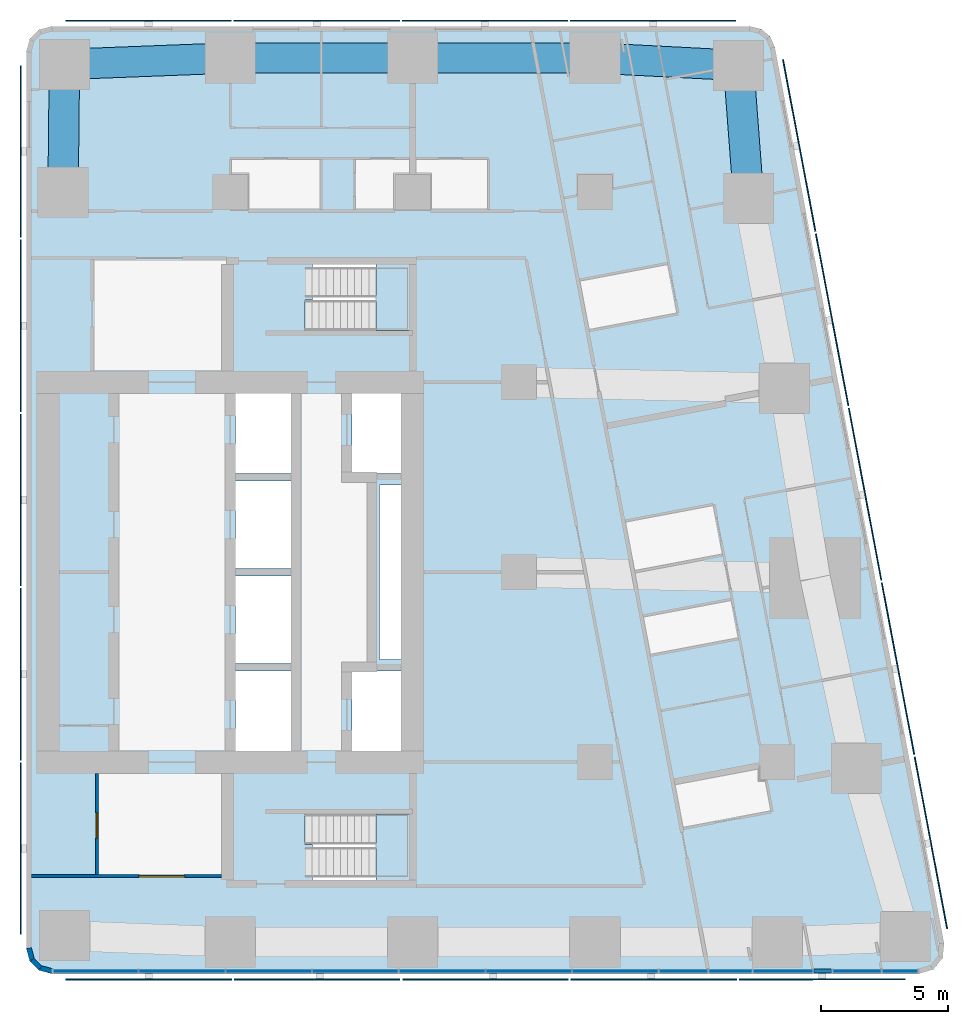
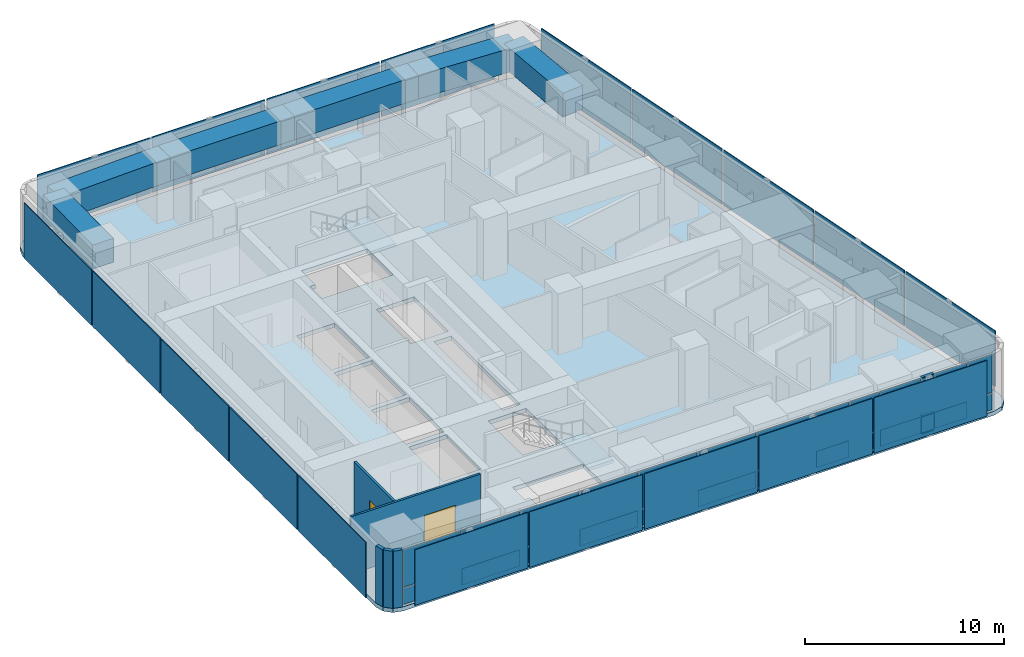
# One storey, part 4 of 11: 45 plates, 6 beams, 5 walls, 3 members, 3 slabs, 2 doors, 2 openings, 3 elements without a shape of their own.
"""IFC4 building model written with IfcOpenShell, lengths in metres."""

from ifc_helpers import new_model, si_unit, direction, frame, frame_2d, origin, origin_2d, place, context, subcontext, project, spatial, polyline, rectangle, outline, extrude, material, layer, layer_set, material_profile, profile_set, type_object, element, fill, aggregate, save


model = new_model("IFC4")

# Units and contexts
model_context = context("Model", 3, precision=1e-05, world=origin(), true_north=direction((0.0, 1.0)))
body_context = subcontext(model_context, "Body", "Model", "MODEL_VIEW")
ifc_project = project(units=[si_unit("LENGTHUNIT", "METRE"), si_unit("AREAUNIT", "SQUARE_METRE"), si_unit("VOLUMEUNIT", "CUBIC_METRE"), si_unit("PLANEANGLEUNIT", "RADIAN"), si_unit("MASSUNIT", "GRAM", prefix="KILO")], contexts=[model_context])

# Site, building, storey
site_placement = place(None, origin())
site = spatial("IfcSite", under=ifc_project, at=site_placement, CompositionType="ELEMENT")
building_placement = place(site_placement, origin())
building = spatial("IfcBuilding", under=site, at=building_placement, Name="Sheger Commons Tower", CompositionType="ELEMENT")
storey_placement = place(building_placement, frame((0.0, 0.0, 274.10009765625)))
storey = spatial("IfcBuildingStorey", under=building, at=storey_placement, Name="L70", CompositionType="ELEMENT", Elevation=274.10009765625)

# Beams
ifc_material_1 = material(Name="Concrete C50/60", Category="concrete")
ifc_material_profile_1 = material_profile(ifc_material_1, rectangle(XDim=1.199951171875, YDim=1.449951171875, at=origin_2d()), Name="RC 1200x1450")
ifc_profile_set_1 = profile_set([ifc_material_profile_1], Name="Concrete C50/60")
beam_type = type_object("IfcBeamType", Name="SPANDREL RC 1200x1450", PredefinedType="SPANDREL", material=ifc_profile_set_1)
beam_1_placement = place(storey_placement, frame((42.06396484375, 37.262939453125, 2.77490234375), z_axis=(-0.075496345854, 0.997146078447, 0.0), x_axis=(-0.997146078447, -0.075496345854, 0.0)))
element("IfcBeam", 1, at=beam_1_placement, inside=storey, type_object=beam_type, Name="Beam E/F-E/G-1.8 under L71", PredefinedType="SPANDREL", context=body_context, shape_type="SweptSolid", body=[
    extrude(rectangle(XDim=1.199951171875, YDim=1.449951171875, at=origin_2d()), origin(), (0.0, 0.0, 1.0), 5.258056640625),
])
beam_2_placement = place(storey_placement, frame((41.6669921875, 42.506103515625, 2.77490234375), z_axis=(-0.998657474351, 0.051800086124, 0.0), x_axis=(-0.051800086124, -0.998657474351, 0.0)))
element("IfcBeam", 2, at=beam_2_placement, inside=storey, type_object=beam_type, Name="Beam E/G-1.8-6/G-1.8 under L71", PredefinedType="SPANDREL", context=body_context, shape_type="SweptSolid", body=[
    extrude(rectangle(XDim=1.199951171875, YDim=1.449951171875, at=origin_2d()), origin(), (0.0, 0.0, 1.0), 5.674560546875),
])
for number, where, z_axis, x_axis, name in (
    (3, (36.0, 42.800048828125, 2.77490234375), (-1.0, 0.0, 0.0), (0.0, -1.0, 0.0), "Beam 6/G-1.8-5/G-1.8 under L71"),
    (4, (28.800048828125, 42.800048828125, 2.77490234375), (-1.0, 0.0, 0.0), (0.0, -1.0, 0.0), "Beam 5/G-1.8-4/G-1.8 under L71"),
):
    element("IfcBeam", number, at=place(storey_placement, frame(where, z_axis=z_axis, x_axis=x_axis)), inside=storey, type_object=beam_type, Name=name, PredefinedType="SPANDREL", context=body_context, shape_type="SweptSolid", body=[
        extrude(rectangle(XDim=1.199951171875, YDim=1.449951171875, at=origin_2d()), origin(), (0.0, 0.0, 1.0), 7.199951171875),
    ])
beam_3_placement = place(storey_placement, frame((21.60009765625, 42.800048828125, 2.77490234375), z_axis=(-0.999247181966, -0.038795223079, 0.0), x_axis=(0.038795223079, -0.999247181966, 0.0)))
element("IfcBeam", 5, at=beam_3_placement, inside=storey, type_object=beam_type, Name="Beam 4/G-1.8-3/G-1.8 under L71", PredefinedType="SPANDREL", context=body_context, shape_type="SweptSolid", body=[
    extrude(rectangle(XDim=1.199951171875, YDim=1.449951171875, at=origin_2d()), origin(), (0.0, 0.0, 1.0), 6.551025390625),
])
beam_4_placement = place(storey_placement, frame((15.053955078125, 42.5458984375, 2.77490234375), z_axis=(-0.010692247282, -0.99994283629, 0.0), x_axis=(0.99994283629, -0.010692247282, 0.0)))
element("IfcBeam", 6, at=beam_4_placement, inside=storey, type_object=beam_type, Name="Beam 3/G-1.8-3/F under L71", PredefinedType="SPANDREL", context=body_context, shape_type="SweptSolid", body=[
    extrude(rectangle(XDim=1.199951171875, YDim=1.449951171875, at=origin_2d()), origin(), (0.0, 0.0, 1.0), 5.046142578125),
])

# Curtain wall, members, plates
ifc_material_2 = material(Name="Black aluminium curtain wall, dark tinted glazing", Category="aluminium")
curtain_wall_type = type_object("IfcCurtainWallType", Name="CURTAIN WALL CW5 SOUTH GALLERY", PredefinedType="USERDEFINED", material=ifc_material_2)
curtain_wall_placement = place(storey_placement, origin())
curtain_wall = element("IfcCurtainWall", 7, at=curtain_wall_placement, inside=storey, type_object=curtain_wall_type, Name="Curtain Wall Cw5 South Gallery S1 L70", ObjectType="UNITISED CURTAIN WALL", PredefinedType="USERDEFINED")
ifc_material_3 = material(Name="Black anodised aluminium", Category="aluminium")
ifc_material_profile_2 = material_profile(ifc_material_3, rectangle(XDim=0.14990234375, YDim=0.06494140625, at=origin_2d()), Name="AL 65x150")
ifc_profile_set_2 = profile_set([ifc_material_profile_2], Name="Black anodised aluminium")
member_type = type_object("IfcMemberType", Name="TRANSOM AL 65x150", PredefinedType="USERDEFINED", material=ifc_profile_set_2)
member_1_placement = place(storey_placement, frame((44.638427734375, 6.75, 0.032470703125), z_axis=(1.0, 0.0, 0.0), x_axis=(0.0, 1.0, 0.0)))
member_1 = element("IfcMember", 8, at=member_1_placement, type_object=member_type, Name="CW5 transom 11.1", ObjectType="TRANSOM", PredefinedType="USERDEFINED", context=body_context, shape_type="SweptSolid", body=[
    extrude(rectangle(XDim=0.14990234375, YDim=0.06494140625, at=origin_2d()), origin(), (0.0, 0.0, 1.0), 0.694091796875),
])
member_2_placement = place(storey_placement, frame((44.638427734375, 6.75, 1.099853515625), z_axis=(1.0, 0.0, 0.0), x_axis=(0.0, 1.0, 0.0)))
member_2 = element("IfcMember", 9, at=member_2_placement, type_object=member_type, Name="CW5 transom 11.2", ObjectType="TRANSOM", PredefinedType="USERDEFINED", context=body_context, shape_type="SweptSolid", body=[
    extrude(rectangle(XDim=0.14990234375, YDim=0.06494140625, at=origin_2d()), origin(), (0.0, 0.0, 1.0), 0.694091796875),
])
member_3_placement = place(storey_placement, frame((44.638427734375, 6.75, 3.46728515625), z_axis=(1.0, 0.0, 0.0), x_axis=(0.0, 1.0, 0.0)))
member_3 = element("IfcMember", 10, at=member_3_placement, type_object=member_type, Name="CW5 transom 11.3", ObjectType="TRANSOM", PredefinedType="USERDEFINED", context=body_context, shape_type="SweptSolid", body=[
    extrude(rectangle(XDim=0.14990234375, YDim=0.06494140625, at=origin_2d()), origin(), (0.0, 0.0, 1.0), 0.694091796875),
])
ifc_material_4 = material(Name="Dark tinted double glazing", Category="glass")
ifc_layer_1 = layer(ifc_material_4, 0.031982421875)
ifc_layer_set_1 = layer_set([ifc_layer_1], Name="GLAZED PANEL 32")
plate_type_1 = type_object("IfcPlateType", Name="GLAZED PANEL 32", PredefinedType="CURTAIN_PANEL", material=ifc_layer_set_1)
plate_1_placement = place(storey_placement, frame((16.290283203125, 6.75, 0.06494140625), z_axis=(0.0, 0.0, 1.0), x_axis=(1.0, 0.0, 0.0)))
plate_1 = element("IfcPlate", 11, at=plate_1_placement, type_object=plate_type_1, Name="CW5 panel 1.1", PredefinedType="CURTAIN_PANEL", context=body_context, shape_type="SweptSolid", body=[
    extrude(rectangle(XDim=3.324462890625, YDim=0.031982421875, at=origin_2d()), origin(), (0.0, 0.0, 1.0), 1.00244140625),
])
plate_2_placement = place(storey_placement, frame((16.290283203125, 6.75, 1.13232421875), z_axis=(0.0, 0.0, 1.0), x_axis=(1.0, 0.0, 0.0)))
plate_2 = element("IfcPlate", 12, at=plate_2_placement, type_object=plate_type_1, Name="CW5 panel 1.2", PredefinedType="CURTAIN_PANEL", context=body_context, shape_type="SweptSolid", body=[
    extrude(rectangle(XDim=3.324462890625, YDim=0.031982421875, at=origin_2d()), origin(), (0.0, 0.0, 1.0), 2.302490234375),
])
plate_3_placement = place(storey_placement, frame((19.696533203125, 6.75, 0.06494140625), z_axis=(0.0, 0.0, 1.0), x_axis=(1.0, 0.0, 0.0)))
plate_3 = element("IfcPlate", 13, at=plate_3_placement, type_object=plate_type_1, Name="CW5 panel 2.1", PredefinedType="CURTAIN_PANEL", context=body_context, shape_type="SweptSolid", body=[
    extrude(rectangle(XDim=3.35791015625, YDim=0.031982421875, at=origin_2d()), origin(), (0.0, 0.0, 1.0), 1.00244140625),
])
plate_4_placement = place(storey_placement, frame((19.696533203125, 6.75, 1.13232421875), z_axis=(0.0, 0.0, 1.0), x_axis=(1.0, 0.0, 0.0)))
plate_4 = element("IfcPlate", 14, at=plate_4_placement, type_object=plate_type_1, Name="CW5 panel 2.2", PredefinedType="CURTAIN_PANEL", context=body_context, shape_type="SweptSolid", body=[
    extrude(rectangle(XDim=3.35791015625, YDim=0.031982421875, at=origin_2d()), origin(), (0.0, 0.0, 1.0), 2.302490234375),
])
plate_5_placement = place(storey_placement, frame((23.118896484375, 6.75, 0.06494140625), z_axis=(0.0, 0.0, 1.0), x_axis=(1.0, 0.0, 0.0)))
plate_5 = element("IfcPlate", 15, at=plate_5_placement, type_object=plate_type_1, Name="CW5 panel 3.1", PredefinedType="CURTAIN_PANEL", context=body_context, shape_type="SweptSolid", body=[
    extrude(rectangle(XDim=3.35693359375, YDim=0.031982421875, at=origin_2d()), origin(), (0.0, 0.0, 1.0), 1.00244140625),
])
plate_6_placement = place(storey_placement, frame((23.118896484375, 6.75, 1.13232421875), z_axis=(0.0, 0.0, 1.0), x_axis=(1.0, 0.0, 0.0)))
plate_6 = element("IfcPlate", 16, at=plate_6_placement, type_object=plate_type_1, Name="CW5 panel 3.2", PredefinedType="CURTAIN_PANEL", context=body_context, shape_type="SweptSolid", body=[
    extrude(rectangle(XDim=3.35693359375, YDim=0.031982421875, at=origin_2d()), origin(), (0.0, 0.0, 1.0), 2.302490234375),
])
plate_7_placement = place(storey_placement, frame((26.54150390625, 6.75, 0.06494140625), z_axis=(0.0, 0.0, 1.0), x_axis=(1.0, 0.0, 0.0)))
plate_7 = element("IfcPlate", 17, at=plate_7_placement, type_object=plate_type_1, Name="CW5 panel 4.1", PredefinedType="CURTAIN_PANEL", context=body_context, shape_type="SweptSolid", body=[
    extrude(rectangle(XDim=3.35791015625, YDim=0.031982421875, at=origin_2d()), origin(), (0.0, 0.0, 1.0), 1.00244140625),
])
plate_8_placement = place(storey_placement, frame((26.54150390625, 6.75, 1.13232421875), z_axis=(0.0, 0.0, 1.0), x_axis=(1.0, 0.0, 0.0)))
plate_8 = element("IfcPlate", 18, at=plate_8_placement, type_object=plate_type_1, Name="CW5 panel 4.2", PredefinedType="CURTAIN_PANEL", context=body_context, shape_type="SweptSolid", body=[
    extrude(rectangle(XDim=3.35791015625, YDim=0.031982421875, at=origin_2d()), origin(), (0.0, 0.0, 1.0), 2.302490234375),
])
plate_9_placement = place(storey_placement, frame((29.964111328125, 6.75, 0.06494140625), z_axis=(0.0, 0.0, 1.0), x_axis=(1.0, 0.0, 0.0)))
plate_9 = element("IfcPlate", 19, at=plate_9_placement, type_object=plate_type_1, Name="CW5 panel 5.1", PredefinedType="CURTAIN_PANEL", context=body_context, shape_type="SweptSolid", body=[
    extrude(rectangle(XDim=3.35693359375, YDim=0.031982421875, at=origin_2d()), origin(), (0.0, 0.0, 1.0), 1.00244140625),
])
plate_10_placement = place(storey_placement, frame((29.964111328125, 6.75, 1.13232421875), z_axis=(0.0, 0.0, 1.0), x_axis=(1.0, 0.0, 0.0)))
plate_10 = element("IfcPlate", 20, at=plate_10_placement, type_object=plate_type_1, Name="CW5 panel 5.2", PredefinedType="CURTAIN_PANEL", context=body_context, shape_type="SweptSolid", body=[
    extrude(rectangle(XDim=3.35693359375, YDim=0.031982421875, at=origin_2d()), origin(), (0.0, 0.0, 1.0), 2.302490234375),
])
plate_11_placement = place(storey_placement, frame((33.385986328125, 6.75, 0.06494140625), z_axis=(0.0, 0.0, 1.0), x_axis=(1.0, 0.0, 0.0)))
plate_11 = element("IfcPlate", 21, at=plate_11_placement, type_object=plate_type_1, Name="CW5 panel 6.1", PredefinedType="CURTAIN_PANEL", context=body_context, shape_type="SweptSolid", body=[
    extrude(rectangle(XDim=3.35693359375, YDim=0.031982421875, at=origin_2d()), origin(), (0.0, 0.0, 1.0), 1.00244140625),
])
plate_12_placement = place(storey_placement, frame((33.385986328125, 6.75, 1.13232421875), z_axis=(0.0, 0.0, 1.0), x_axis=(1.0, 0.0, 0.0)))
plate_12 = element("IfcPlate", 22, at=plate_12_placement, type_object=plate_type_1, Name="CW5 panel 6.2", PredefinedType="CURTAIN_PANEL", context=body_context, shape_type="SweptSolid", body=[
    extrude(rectangle(XDim=3.35693359375, YDim=0.031982421875, at=origin_2d()), origin(), (0.0, 0.0, 1.0), 2.302490234375),
])
plate_13_placement = place(storey_placement, frame((36.80859375, 6.75, 0.06494140625), z_axis=(0.0, 0.0, 1.0), x_axis=(1.0, 0.0, 0.0)))
plate_13 = element("IfcPlate", 23, at=plate_13_placement, type_object=plate_type_1, Name="CW5 panel 7.1", PredefinedType="CURTAIN_PANEL", context=body_context, shape_type="SweptSolid", body=[
    extrude(rectangle(XDim=3.35791015625, YDim=0.031982421875, at=origin_2d()), origin(), (0.0, 0.0, 1.0), 1.00244140625),
])
plate_14_placement = place(storey_placement, frame((36.80859375, 6.75, 1.13232421875), z_axis=(0.0, 0.0, 1.0), x_axis=(1.0, 0.0, 0.0)))
plate_14 = element("IfcPlate", 24, at=plate_14_placement, type_object=plate_type_1, Name="CW5 panel 7.2", PredefinedType="CURTAIN_PANEL", context=body_context, shape_type="SweptSolid", body=[
    extrude(rectangle(XDim=3.35791015625, YDim=0.031982421875, at=origin_2d()), origin(), (0.0, 0.0, 1.0), 2.302490234375),
])
plate_15_placement = place(storey_placement, frame((39.4970703125, 6.75, 0.06494140625), z_axis=(0.0, 0.0, 1.0), x_axis=(1.0, 0.0, 0.0)))
plate_15 = element("IfcPlate", 25, at=plate_15_placement, type_object=plate_type_1, Name="CW5 panel 8.1", PredefinedType="CURTAIN_PANEL", context=body_context, shape_type="SweptSolid", body=[
    extrude(rectangle(XDim=1.888916015625, YDim=0.031982421875, at=origin_2d()), origin(), (0.0, 0.0, 1.0), 1.00244140625),
])
plate_16_placement = place(storey_placement, frame((39.4970703125, 6.75, 1.13232421875), z_axis=(0.0, 0.0, 1.0), x_axis=(1.0, 0.0, 0.0)))
plate_16 = element("IfcPlate", 26, at=plate_16_placement, type_object=plate_type_1, Name="CW5 panel 8.2", PredefinedType="CURTAIN_PANEL", context=body_context, shape_type="SweptSolid", body=[
    extrude(rectangle(XDim=1.888916015625, YDim=0.031982421875, at=origin_2d()), origin(), (0.0, 0.0, 1.0), 2.302490234375),
])
plate_17_placement = place(storey_placement, frame((41.35107421875, 6.75, 0.06494140625), z_axis=(0.0, 0.0, 1.0), x_axis=(1.0, 0.0, 0.0)))
plate_17 = element("IfcPlate", 27, at=plate_17_placement, type_object=plate_type_1, Name="CW5 panel 9.1", PredefinedType="CURTAIN_PANEL", context=body_context, shape_type="SweptSolid", body=[
    extrude(rectangle(XDim=1.68896484375, YDim=0.031982421875, at=origin_2d()), origin(), (0.0, 0.0, 1.0), 1.00244140625),
])
plate_18_placement = place(storey_placement, frame((41.35107421875, 6.75, 1.13232421875), z_axis=(0.0, 0.0, 1.0), x_axis=(1.0, 0.0, 0.0)))
plate_18 = element("IfcPlate", 28, at=plate_18_placement, type_object=plate_type_1, Name="CW5 panel 9.2", PredefinedType="CURTAIN_PANEL", context=body_context, shape_type="SweptSolid", body=[
    extrude(rectangle(XDim=1.68896484375, YDim=0.031982421875, at=origin_2d()), origin(), (0.0, 0.0, 1.0), 2.302490234375),
])
plate_19_placement = place(storey_placement, frame((43.4169921875, 6.75, 0.06494140625), z_axis=(0.0, 0.0, 1.0), x_axis=(1.0, 0.0, 0.0)))
plate_19 = element("IfcPlate", 29, at=plate_19_placement, type_object=plate_type_1, Name="CW5 panel 10.1", PredefinedType="CURTAIN_PANEL", context=body_context, shape_type="SweptSolid", body=[
    extrude(rectangle(XDim=2.31298828125, YDim=0.031982421875, at=origin_2d()), origin(), (0.0, 0.0, 1.0), 1.00244140625),
])
plate_20_placement = place(storey_placement, frame((43.4169921875, 6.75, 1.13232421875), z_axis=(0.0, 0.0, 1.0), x_axis=(1.0, 0.0, 0.0)))
plate_20 = element("IfcPlate", 30, at=plate_20_placement, type_object=plate_type_1, Name="CW5 panel 10.2", PredefinedType="CURTAIN_PANEL", context=body_context, shape_type="SweptSolid", body=[
    extrude(rectangle(XDim=2.31298828125, YDim=0.031982421875, at=origin_2d()), origin(), (0.0, 0.0, 1.0), 2.302490234375),
])
plate_21_placement = place(storey_placement, frame((44.985595703125, 6.75, 0.06494140625), z_axis=(0.0, 0.0, 1.0), x_axis=(1.0, 0.0, 0.0)))
plate_21 = element("IfcPlate", 31, at=plate_21_placement, type_object=plate_type_1, Name="CW5 panel 11.1", PredefinedType="CURTAIN_PANEL", context=body_context, shape_type="SweptSolid", body=[
    extrude(rectangle(XDim=0.694091796875, YDim=0.031982421875, at=origin_2d()), origin(), (0.0, 0.0, 1.0), 1.00244140625),
])
plate_22_placement = place(storey_placement, frame((44.985595703125, 6.75, 1.13232421875), z_axis=(0.0, 0.0, 1.0), x_axis=(1.0, 0.0, 0.0)))
plate_22 = element("IfcPlate", 32, at=plate_22_placement, type_object=plate_type_1, Name="CW5 panel 11.2", PredefinedType="CURTAIN_PANEL", context=body_context, shape_type="SweptSolid", body=[
    extrude(rectangle(XDim=0.694091796875, YDim=0.031982421875, at=origin_2d()), origin(), (0.0, 0.0, 1.0), 2.302490234375),
])
plate_23_placement = place(storey_placement, frame((46.342041015625, 6.75, 0.06494140625), z_axis=(0.0, 0.0, 1.0), x_axis=(1.0, 0.0, 0.0)))
plate_23 = element("IfcPlate", 33, at=plate_23_placement, type_object=plate_type_1, Name="CW5 panel 12.1", PredefinedType="CURTAIN_PANEL", context=body_context, shape_type="SweptSolid", body=[
    extrude(rectangle(XDim=1.888916015625, YDim=0.031982421875, at=origin_2d()), origin(), (0.0, 0.0, 1.0), 1.00244140625),
])
plate_24_placement = place(storey_placement, frame((46.342041015625, 6.75, 1.13232421875), z_axis=(0.0, 0.0, 1.0), x_axis=(1.0, 0.0, 0.0)))
plate_24 = element("IfcPlate", 34, at=plate_24_placement, type_object=plate_type_1, Name="CW5 panel 12.2", PredefinedType="CURTAIN_PANEL", context=body_context, shape_type="SweptSolid", body=[
    extrude(rectangle(XDim=1.888916015625, YDim=0.031982421875, at=origin_2d()), origin(), (0.0, 0.0, 1.0), 2.302490234375),
])
plate_25_placement = place(storey_placement, frame((48.036865234375, 6.75, 0.06494140625), z_axis=(0.0, 0.0, 1.0), x_axis=(1.0, 0.0, 0.0)))
plate_25 = element("IfcPlate", 35, at=plate_25_placement, type_object=plate_type_1, Name="CW5 panel 13.1", PredefinedType="CURTAIN_PANEL", context=body_context, shape_type="SweptSolid", body=[
    extrude(rectangle(XDim=1.37060546875, YDim=0.031982421875, at=origin_2d()), origin(), (0.0, 0.0, 1.0), 1.00244140625),
])
plate_26_placement = place(storey_placement, frame((48.036865234375, 6.75, 1.13232421875), z_axis=(0.0, 0.0, 1.0), x_axis=(1.0, 0.0, 0.0)))
plate_26 = element("IfcPlate", 36, at=plate_26_placement, type_object=plate_type_1, Name="CW5 panel 13.2", PredefinedType="CURTAIN_PANEL", context=body_context, shape_type="SweptSolid", body=[
    extrude(rectangle(XDim=1.37060546875, YDim=0.031982421875, at=origin_2d()), origin(), (0.0, 0.0, 1.0), 2.302490234375),
])
aggregate(curtain_wall, [plate_1, plate_2, plate_3, plate_4, plate_5, plate_6, plate_7, plate_8, plate_9, plate_10, plate_11, plate_12, plate_13, plate_14, plate_15, plate_16, plate_17, plate_18, plate_19, plate_20, member_1, member_2, member_3, plate_21, plate_22, plate_23, plate_24, plate_25, plate_26])

# Slab
ifc_material_5 = material(Name="Concrete C35/45", Category="concrete")
ifc_layer_2 = layer(ifc_material_5, 0.25)
ifc_layer_set_2 = layer_set([ifc_layer_2], Name="SLAB FLOOR 250")
slab_type_1 = type_object("IfcSlabType", Name="SLAB FLOOR 250", PredefinedType="FLOOR", material=ifc_layer_set_2)
slab_1_placement = place(storey_placement, frame((0.0, 0.0, -0.25)))
element("IfcSlab", 37, at=slab_1_placement, inside=storey, type_object=slab_type_1, Name="L70 floor slab", PredefinedType="FLOOR", context=body_context, shape_type="SweptSolid", body=[
    extrude(outline(polyline([(13.550048828125, 7.64990234375), (13.68408203125, 7.14990234375), (14.050048828125, 6.783935546875), (14.550048828125, 6.64990234375), (48.802001953125, 6.64990234375), (49.35498046875, 6.81689453125), (49.72412109375, 7.260986328125), (49.784912109375, 7.8359375), (43.097900390625, 43.236083984375), (42.912109375, 43.654052734375), (42.56005859375, 43.945068359375), (42.114990234375, 44.050048828125), (14.550048828125, 44.050048828125), (14.050048828125, 43.916015625), (13.68408203125, 43.550048828125), (13.550048828125, 43.050048828125), (13.550048828125, 7.64990234375)]), holes=[polyline([(24.85009765625, 10.35009765625), (28.64990234375, 10.35009765625), (28.64990234375, 12.949951171875), (24.551025390625, 12.949951171875), (24.551025390625, 11.75), (24.85009765625, 11.75), (24.85009765625, 10.35009765625)]), polyline([(24.551025390625, 32.050048828125), (28.64990234375, 32.050048828125), (28.64990234375, 34.64990234375), (24.85009765625, 34.64990234375), (24.85009765625, 33.25), (24.551025390625, 33.25), (24.551025390625, 32.050048828125)]), polyline([(26.39990234375, 15.14990234375), (28.60009765625, 15.14990234375), (28.60009765625, 18.60009765625), (26.39990234375, 18.60009765625), (26.39990234375, 15.14990234375)]), polyline([(26.39990234375, 26.39990234375), (28.60009765625, 26.39990234375), (28.60009765625, 29.85009765625), (26.39990234375, 29.85009765625), (26.39990234375, 26.39990234375)]), polyline([(21.800048828125, 15.14990234375), (24.0, 15.14990234375), (24.0, 18.60009765625), (21.800048828125, 18.60009765625), (21.800048828125, 15.14990234375)]), polyline([(21.800048828125, 18.89990234375), (24.0, 18.89990234375), (24.0, 22.35009765625), (21.800048828125, 22.35009765625), (21.800048828125, 18.89990234375)]), polyline([(21.800048828125, 22.64990234375), (24.0, 22.64990234375), (24.0, 26.10009765625), (21.800048828125, 26.10009765625), (21.800048828125, 22.64990234375)]), polyline([(21.800048828125, 26.39990234375), (24.0, 26.39990234375), (24.0, 29.85009765625), (21.800048828125, 29.85009765625), (21.800048828125, 26.39990234375)]), polyline([(27.5, 19.050048828125), (28.5, 19.050048828125), (28.5, 25.949951171875), (27.5, 25.949951171875), (27.5, 19.050048828125)])]), origin(), (0.0, 0.0, 1.0), 0.25),
])

# Plates
ifc_material_6 = material(Name="Perforated black anodised aluminium screen", Category="aluminium")
ifc_layer_3 = layer(ifc_material_6, 0.050048828125)
ifc_layer_set_3 = layer_set([ifc_layer_3], Name="SOLAR SCREEN SCREEN-1")
plate_type_2 = type_object("IfcPlateType", Name="SOLAR SCREEN SCREEN-1", PredefinedType="USERDEFINED", material=ifc_layer_set_3)
for number, where, z_axis, x_axis, name in (
    (38, (18.375, 6.425048828125, 0.050048828125), (0.0, 0.0, 1.0), (1.0, 0.0, 0.0), "Perforated solar screen panel"),
    (39, (25.02587890625, 6.425048828125, 0.050048828125), (0.0, 0.0, 1.0), (1.0, 0.0, 0.0), "Perforated solar screen panel"),
    (40, (31.676025390625, 6.425048828125, 0.050048828125), (0.0, 0.0, 1.0), (1.0, 0.0, 0.0), "Perforated solar screen panel"),
    (41, (38.325927734375, 6.425048828125, 0.050048828125), (0.0, 0.0, 1.0), (1.0, 0.0, 0.0), "Perforated solar screen panel"),
    (42, (44.97705078125, 6.425048828125, 0.050048828125), (0.0, 0.0, 1.0), (1.0, 0.0, 0.0), "Perforated solar screen panel"),
):
    element("IfcPlate", number, at=place(storey_placement, frame(where, z_axis=z_axis, x_axis=x_axis)), inside=storey, type_object=plate_type_2, Name=name, ObjectType="SCREEN", PredefinedType="USERDEFINED", context=body_context, shape_type="SweptSolid", body=[
        extrude(rectangle(XDim=6.550048828125, YDim=0.050048828125, at=origin_2d()), origin(), (0.0, 0.0, 1.0), 3.39990234375),
    ])
for number, where, z_axis, x_axis, name in (
    (43, (49.262939453125, 11.81103515625, 0.050048828125), (0.0, 0.0, 1.0), (-0.185615165645, 0.982622516678, 0.0), "Perforated solar screen panel"),
    (44, (47.962890625, 18.694091796875, 0.050048828125), (0.0, 0.0, 1.0), (-0.185615165645, 0.982622516678, 0.0), "Perforated solar screen panel"),
    (45, (46.6630859375, 25.577880859375, 0.050048828125), (0.0, 0.0, 1.0), (-0.185615165645, 0.982622516678, 0.0), "Perforated solar screen panel"),
    (46, (45.362060546875, 32.4609375, 0.050048828125), (0.0, 0.0, 1.0), (-0.185615165645, 0.982622516678, 0.0), "Perforated solar screen panel"),
    (47, (44.06201171875, 39.344970703125, 0.050048828125), (0.0, 0.0, 1.0), (-0.185615165645, 0.982622516678, 0.0), "Perforated solar screen panel"),
):
    element("IfcPlate", number, at=place(storey_placement, frame(where, z_axis=z_axis, x_axis=x_axis)), inside=storey, type_object=plate_type_2, Name=name, ObjectType="SCREEN", PredefinedType="USERDEFINED", context=body_context, shape_type="SweptSolid", body=[
        extrude(rectangle(XDim=6.905029296875, YDim=0.050048828125, at=origin_2d()), origin(), (0.0, 0.0, 1.0), 3.39990234375),
    ])
for number, where, z_axis, x_axis, name in (
    (48, (38.2939453125, 44.27490234375, 0.050048828125), (0.0, 0.0, 1.0), (-1.0, 0.0, 0.0), "Perforated solar screen panel"),
    (49, (31.653076171875, 44.27490234375, 0.050048828125), (0.0, 0.0, 1.0), (-1.0, 0.0, 0.0), "Perforated solar screen panel"),
    (50, (25.011962890625, 44.27490234375, 0.050048828125), (0.0, 0.0, 1.0), (-1.0, 0.0, 0.0), "Perforated solar screen panel"),
    (51, (18.37109375, 44.27490234375, 0.050048828125), (0.0, 0.0, 1.0), (-1.0, 0.0, 0.0), "Perforated solar screen panel"),
):
    element("IfcPlate", number, at=place(storey_placement, frame(where, z_axis=z_axis, x_axis=x_axis)), inside=storey, type_object=plate_type_2, Name=name, ObjectType="SCREEN", PredefinedType="USERDEFINED", context=body_context, shape_type="SweptSolid", body=[
        extrude(rectangle(XDim=6.541015625, YDim=0.050048828125, at=origin_2d()), origin(), (0.0, 0.0, 1.0), 3.39990234375),
    ])
for number, where, z_axis, x_axis, name in (
    (52, (13.324951171875, 39.110107421875, 0.050048828125), (0.0, 0.0, 1.0), (0.0, -1.0, 0.0), "Perforated solar screen panel"),
    (53, (13.324951171875, 32.22998046875, 0.050048828125), (0.0, 0.0, 1.0), (0.0, -1.0, 0.0), "Perforated solar screen panel"),
    (54, (13.324951171875, 25.35009765625, 0.050048828125), (0.0, 0.0, 1.0), (0.0, -1.0, 0.0), "Perforated solar screen panel"),
    (55, (13.324951171875, 18.469970703125, 0.050048828125), (0.0, 0.0, 1.0), (0.0, -1.0, 0.0), "Perforated solar screen panel"),
    (56, (13.324951171875, 11.590087890625, 0.050048828125), (0.0, 0.0, 1.0), (0.0, -1.0, 0.0), "Perforated solar screen panel"),
):
    element("IfcPlate", number, at=place(storey_placement, frame(where, z_axis=z_axis, x_axis=x_axis)), inside=storey, type_object=plate_type_2, Name=name, ObjectType="SCREEN", PredefinedType="USERDEFINED", context=body_context, shape_type="SweptSolid", body=[
        extrude(rectangle(XDim=6.780029296875, YDim=0.050048828125, at=origin_2d()), origin(), (0.0, 0.0, 1.0), 3.39990234375),
    ])

# Stair, slab
ifc_material_7 = material(Name="Concrete C35/45", Category="concrete")
stair_type = type_object("IfcStairType", Name="HALF-TURN STAIR 1200 RISE 3750", PredefinedType="HALF_TURN_STAIR", material=ifc_material_7)
stair_1_placement = place(storey_placement, origin())
stair_1 = element("IfcStair", 57, at=stair_1_placement, inside=storey, type_object=stair_type, Name="Stair S1 L70", PredefinedType="HALF_TURN_STAIR")
ifc_material_8 = material(Name="Concrete C35/45", Category="concrete")
ifc_layer_4 = layer(ifc_material_8, 0.199951171875)
ifc_layer_set_4 = layer_set([ifc_layer_4], Name="STAIR LANDING 200")
slab_type_2 = type_object("IfcSlabType", Name="STAIR LANDING 200", PredefinedType="LANDING", material=ifc_layer_set_4)
slab_2_placement = place(storey_placement, frame((0.0, 0.0, 1.6748046875)))
slab_2 = element("IfcSlab", 58, at=slab_2_placement, type_object=slab_type_2, Name="S1 landing 1", PredefinedType="LANDING", context=body_context, shape_type="SweptSolid", body=[
    extrude(outline(polyline([(27.35009765625, 10.199951171875), (28.800048828125, 10.199951171875), (28.800048828125, 12.949951171875), (27.35009765625, 12.949951171875), (27.35009765625, 10.199951171875)])), origin(), (0.0, 0.0, 1.0), 0.2001953125),
])
aggregate(stair_1, [slab_2])

stair_2_placement = place(storey_placement, origin())
stair_2 = element("IfcStair", 59, at=stair_2_placement, inside=storey, type_object=stair_type, Name="Stair S2 L70", PredefinedType="HALF_TURN_STAIR")
slab_3_placement = place(storey_placement, frame((0.0, 0.0, 1.6748046875)))
slab_3 = element("IfcSlab", 60, at=slab_3_placement, type_object=slab_type_2, Name="S2 landing 1", PredefinedType="LANDING", context=body_context, shape_type="SweptSolid", body=[
    extrude(outline(polyline([(27.35009765625, 32.050048828125), (28.800048828125, 32.050048828125), (28.800048828125, 34.800048828125), (27.35009765625, 34.800048828125), (27.35009765625, 32.050048828125)])), origin(), (0.0, 0.0, 1.0), 0.2001953125),
])
aggregate(stair_2, [slab_3])

# Walls
ifc_material_9 = material(Name="Rendered concrete block masonry, dark grey", Category="masonry")
ifc_layer_5 = layer(ifc_material_9, 0.199951171875)
ifc_layer_set_5 = layer_set([ifc_layer_5], Name="FACADE WALL 200")
wall_type_1 = type_object("IfcWallType", Name="FACADE WALL 200", PredefinedType="SOLIDWALL", material=ifc_layer_set_5)
wall_1_placement = place(storey_placement, frame((13.64990234375, 7.6630859375, 0.0), z_axis=(0.0, 0.0, 1.0), x_axis=(0.259698463175, -0.965689757751, 0.0)))
element("IfcWall", 61, at=wall_1_placement, inside=storey, type_object=wall_type_1, Name="Facade wall L70", PredefinedType="SOLIDWALL", context=body_context, shape_type="SweptSolid", body=[
    extrude(rectangle(XDim=0.4775390625, YDim=0.199951171875, at=frame_2d((0.23876953125, 0.0))), origin(), (0.0, 0.0, 1.0), 3.5),
])
wall_2_placement = place(storey_placement, frame((13.77392578125, 7.201904296875, 0.0), z_axis=(0.0, 0.0, 1.0), x_axis=(0.707369890659, -0.706843573776, 0.0)))
element("IfcWall", 62, at=wall_2_placement, inside=storey, type_object=wall_type_1, Name="Facade wall L70", PredefinedType="SOLIDWALL", context=body_context, shape_type="SweptSolid", body=[
    extrude(rectangle(XDim=0.4638671875, YDim=0.199951171875, at=frame_2d((0.23193359375, 0.0))), origin(), (0.0, 0.0, 1.0), 3.5),
])
wall_3_placement = place(storey_placement, frame((14.10205078125, 6.8740234375, 0.0), z_axis=(0.0, 0.0, 1.0), x_axis=(0.965655254015, -0.259826731483, 0.0)))
element("IfcWall", 63, at=wall_3_placement, inside=storey, type_object=wall_type_1, Name="Facade wall L70", PredefinedType="SOLIDWALL", context=body_context, shape_type="SweptSolid", body=[
    extrude(rectangle(XDim=0.477294921875, YDim=0.199951171875, at=frame_2d((0.23876953125, 0.0))), origin(), (0.0, 0.0, 1.0), 3.5),
])

# Wall, opening, door
ifc_material_10 = material(Name="Gypsum board on steel studs, two layers each side, fire rated", Category="steel")
ifc_layer_6 = layer(ifc_material_10, 0.125)
ifc_layer_set_6 = layer_set([ifc_layer_6], Name="SERVICE WALL 125")
wall_type_2 = type_object("IfcWallType", Name="SERVICE WALL 125", PredefinedType="PARTITIONING", material=ifc_layer_set_6)
wall_4_placement = place(storey_placement, frame((13.75, 10.5, 0.0), z_axis=(0.0, 0.0, 1.0), x_axis=(1.0, 0.0, 0.0)))
wall_4 = element("IfcWall", 64, at=wall_4_placement, inside=storey, type_object=wall_type_2, Name="Service room wall L70", PredefinedType="PARTITIONING", context=body_context, shape_type="SweptSolid", body=[
    extrude(rectangle(XDim=7.5, YDim=0.125, at=frame_2d((3.75, 0.0))), origin(), (0.0, 0.0, 1.0), 3.5),
])
opening_1_placement = place(wall_4_placement, frame((4.2451171875, 0.0, 0.0)))
opening_1 = element("IfcOpeningElement", 65, at=opening_1_placement, cuts=wall_4, Name="Opening D6", PredefinedType="OPENING", context=body_context, shape_type="SweptSolid", body=[
    extrude(rectangle(XDim=1.800048828125, YDim=2.10009765625, at=frame_2d((0.89990234375, 1.050048828125))), frame((0.0, 0.072509765625, 0.0), z_axis=(0.0, -1.0, 0.0), x_axis=(1.0, 0.0, 0.0)), (0.0, 0.0, 1.0), 0.14501953125),
])
ifc_material_11 = material(Name="Steel door set, fire rated", Category="steel")
door_type_1 = type_object("IfcDoorType", Name="LOBBY DOUBLE DOOR 1800x2100", OperationType="DOUBLE_DOOR_SINGLE_SWING", PredefinedType="DOOR", material=ifc_material_11)
door_1_placement = place(opening_1_placement, origin())
door_1 = element("IfcDoor", 66, at=door_1_placement, inside=storey, type_object=door_type_1, Name="Lift lobby south door", OperationType="DOUBLE_DOOR_SINGLE_SWING", OverallHeight=2.10009765625, OverallWidth=1.800048828125, PredefinedType="DOOR", context=body_context, shape_type="SweptSolid", body=[
    extrude(rectangle(XDim=1.800048828125, YDim=2.10009765625, at=frame_2d((0.89990234375, 1.050048828125))), frame((0.0, 0.02490234375, 0.0), z_axis=(0.0, -1.0, 0.0), x_axis=(1.0, 0.0, 0.0)), (0.0, 0.0, 1.0), 0.050048828125),
])
fill(opening_1, door_1)

wall_5_placement = place(storey_placement, frame((16.340087890625, 10.56201171875, 0.0), z_axis=(0.0, 0.0, 1.0), x_axis=(0.0, 1.0, 0.0)))
wall_5 = element("IfcWall", 67, at=wall_5_placement, inside=storey, type_object=wall_type_2, Name="Service room wall L70", PredefinedType="PARTITIONING", context=body_context, shape_type="SweptSolid", body=[
    extrude(rectangle(XDim=3.988037109375, YDim=0.125, at=frame_2d((1.994140625, 0.0))), origin(), (0.0, 0.0, 1.0), 3.5),
])
opening_2_placement = place(wall_5_placement, frame((1.43798828125, 0.0, 0.0)))
opening_2 = element("IfcOpeningElement", 68, at=opening_2_placement, cuts=wall_5, Name="Opening D4", PredefinedType="OPENING", context=body_context, shape_type="SweptSolid", body=[
    extrude(rectangle(XDim=1.0, YDim=2.10009765625, at=frame_2d((0.5, 1.050048828125))), frame((0.0, 0.072509765625, 0.0), z_axis=(0.0, -1.0, 0.0), x_axis=(1.0, 0.0, 0.0)), (0.0, 0.0, 1.0), 0.14501953125),
])
ifc_material_12 = material(Name="Steel door set, fire rated", Category="steel")
door_type_2 = type_object("IfcDoorType", Name="SERVICE DOOR 1000x2100", OperationType="NOTDEFINED", PredefinedType="DOOR", material=ifc_material_12)
door_2_placement = place(opening_2_placement, origin())
door_2 = element("IfcDoor", 69, at=door_2_placement, inside=storey, type_object=door_type_2, Name="Electrical room door", OperationType="SINGLE_SWING_LEFT", OverallHeight=2.10009765625, OverallWidth=1.0, PredefinedType="DOOR", context=body_context, shape_type="SweptSolid", body=[
    extrude(rectangle(XDim=1.0, YDim=2.10009765625, at=frame_2d((0.5, 1.050048828125))), frame((0.0, 0.02490234375, 0.0), z_axis=(0.0, -1.0, 0.0), x_axis=(1.0, 0.0, 0.0)), (0.0, 0.0, 1.0), 0.050048828125),
])
fill(opening_2, door_2)

save(model, "model.ifc")
